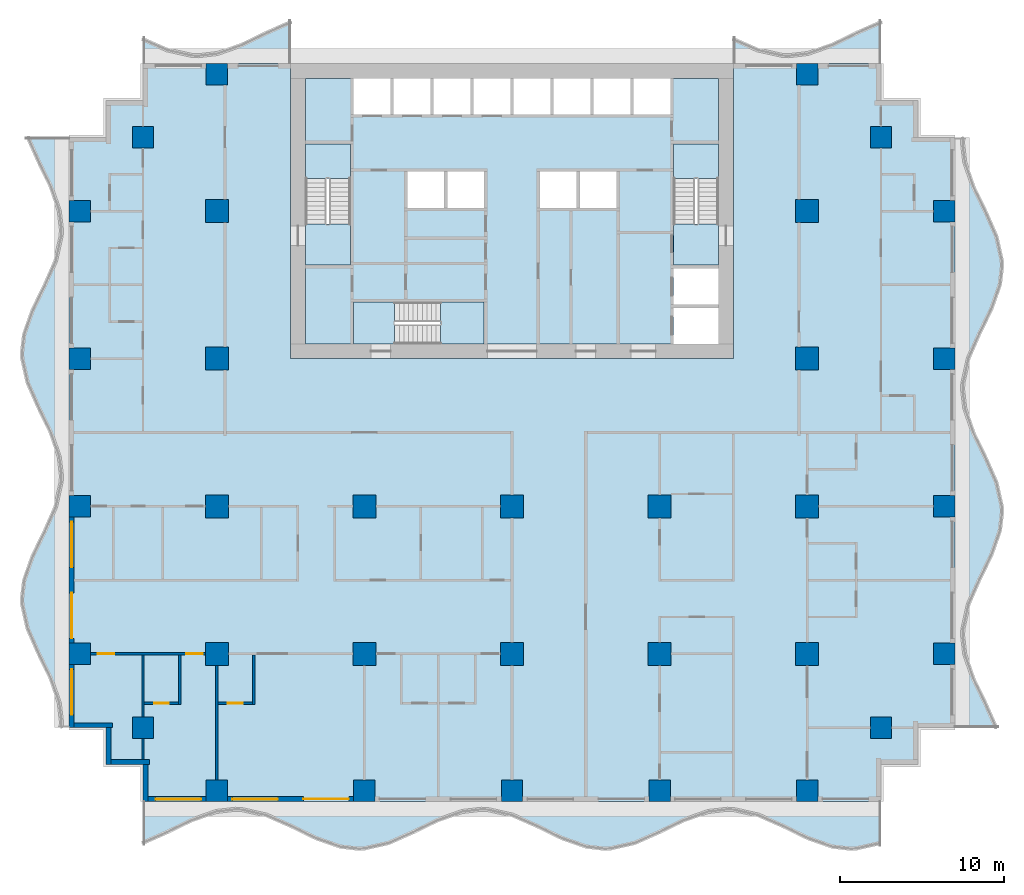
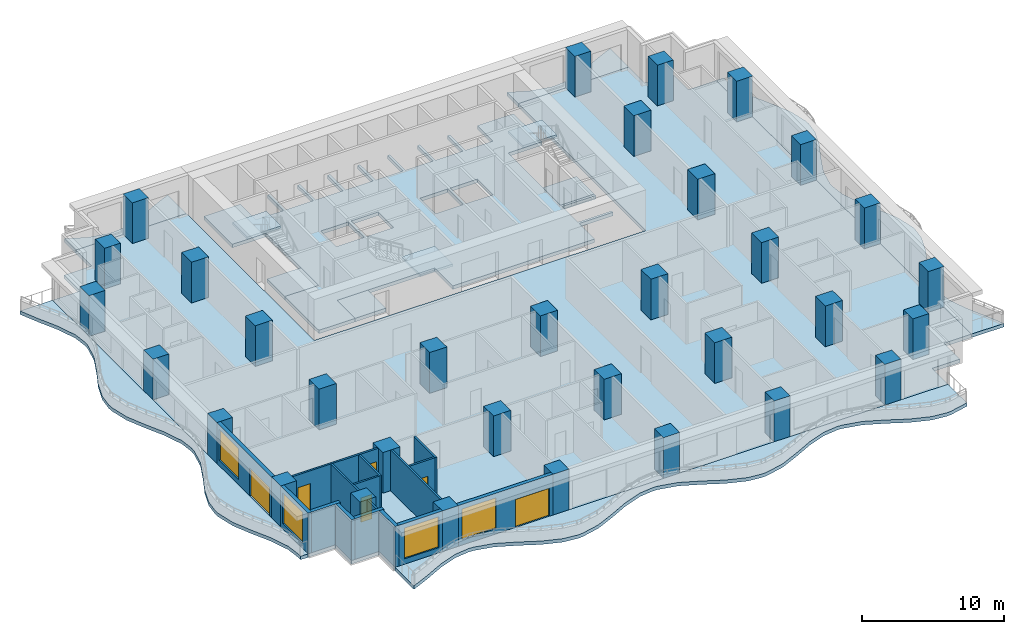
# One storey, part 1 of 14: 33 columns, 16 walls, 13 slabs, 6 doors, 4 windows, 10 openings, 3 elements without a shape of their own.
"""IFC4 building model written with IfcOpenShell, lengths in metres."""

from ifc_helpers import new_model, si_unit, direction, frame, frame_2d, origin, origin_2d, place, context, subcontext, project, spatial, polyline, rectangle, outline, extrude, material, layer, layer_set, material_profile, profile_set, type_object, element, fill, aggregate, save


model = new_model("IFC4")

# Units and contexts
model_context = context("Model", 3, precision=1e-05, world=origin(), true_north=direction((0.0, 1.0)))
body_context = subcontext(model_context, "Body", "Model", "MODEL_VIEW")
ifc_project = project(units=[si_unit("LENGTHUNIT", "METRE"), si_unit("AREAUNIT", "SQUARE_METRE"), si_unit("VOLUMEUNIT", "CUBIC_METRE"), si_unit("PLANEANGLEUNIT", "RADIAN"), si_unit("MASSUNIT", "GRAM", prefix="KILO")], contexts=[model_context])

# Site, building, storey
site_placement = place(None, origin())
site = spatial("IfcSite", under=ifc_project, at=site_placement, CompositionType="ELEMENT")
building_placement = place(site_placement, origin())
building = spatial("IfcBuilding", under=site, at=building_placement, Name="Orbiselva Terraces", CompositionType="ELEMENT")
storey_placement = place(building_placement, frame((0.0, 0.0, 88.4)))
storey = spatial("IfcBuildingStorey", under=building, at=storey_placement, Name="L22", CompositionType="ELEMENT", Elevation=88.4)

# Columns
ifc_material_1 = material(Name="Concrete C70/85", Category="concrete")
ifc_material_profile_1 = material_profile(ifc_material_1, rectangle(XDim=1.4, YDim=1.4, at=origin_2d()), Name="RC 1400x1400")
ifc_profile_set_1 = profile_set([ifc_material_profile_1], Name="Concrete C70/85")
column_type_1 = type_object("IfcColumnType", Name="COLUMN RC 1400x1400", PredefinedType="COLUMN", material=ifc_profile_set_1)
for number, where, z_axis, x_axis, name in (
    (1, (-18.0, -13.5, 0.0), (0.0, 0.0, 1.0), (1.0, 0.0, 0.0), "Column L22-01"),
    (2, (-18.0, -4.5, 0.0), (0.0, 0.0, 1.0), (1.0, 0.0, 0.0), "Column L22-03"),
    (3, (-18.0, 13.5, 0.0), (0.0, 0.0, 1.0), (1.0, 0.0, 0.0), "Column L22-04"),
    (4, (-18.0, 4.5, 0.0), (0.0, 0.0, 1.0), (1.0, 0.0, 0.0), "Column L22-06"),
    (5, (-9.0, -13.5, 0.0), (0.0, 0.0, 1.0), (1.0, 0.0, 0.0), "Column L22-13"),
    (6, (-9.0, -4.5, 0.0), (0.0, 0.0, 1.0), (1.0, 0.0, 0.0), "Column L22-15"),
    (7, (0.0, -13.5, 0.0), (0.0, 0.0, 1.0), (1.0, 0.0, 0.0), "Column L22-16"),
    (8, (0.0, -4.5, 0.0), (0.0, 0.0, 1.0), (1.0, 0.0, 0.0), "Column L22-18"),
    (9, (18.0, -13.5, 0.0), (0.0, 0.0, 1.0), (1.0, 0.0, 0.0), "Column L22-19"),
    (10, (18.0, -4.5, 0.0), (0.0, 0.0, 1.0), (1.0, 0.0, 0.0), "Column L22-21"),
    (11, (18.0, 13.5, 0.0), (0.0, 0.0, 1.0), (1.0, 0.0, 0.0), "Column L22-22"),
    (12, (18.0, 4.5, 0.0), (0.0, 0.0, 1.0), (1.0, 0.0, 0.0), "Column L22-24"),
    (13, (9.0, -13.5, 0.0), (0.0, 0.0, 1.0), (1.0, 0.0, 0.0), "Column L22-31"),
    (14, (9.0, -4.5, 0.0), (0.0, 0.0, 1.0), (1.0, 0.0, 0.0), "Column L22-33"),
):
    element("IfcColumn", number, at=place(storey_placement, frame(where, z_axis=z_axis, x_axis=x_axis)), inside=storey, type_object=column_type_1, Name=name, PredefinedType="COLUMN", context=body_context, shape_type="SweptSolid", body=[
        extrude(rectangle(XDim=1.4, YDim=1.4, at=origin_2d()), origin(), (0.0, 0.0, 1.0), 3.5),
    ])
ifc_material_profile_2 = material_profile(ifc_material_1, rectangle(XDim=1.3, YDim=1.3, at=origin_2d()), Name="RC 1300x1300")
ifc_profile_set_2 = profile_set([ifc_material_profile_2], Name="Concrete C70/85")
column_type_2 = type_object("IfcColumnType", Name="PERIMETER COLUMN RC 1300x1300", PredefinedType="COLUMN", material=ifc_profile_set_2)
for number, where, z_axis, x_axis, name in (
    (15, (-18.0, -21.85, 0.0), (0.0, 0.0, 1.0), (1.0, 0.0, 0.0), "Column L22-02"),
    (16, (-18.0, 21.85, 0.0), (0.0, 0.0, 1.0), (1.0, 0.0, 0.0), "Column L22-05"),
    (17, (-26.35, -13.5, 0.0), (0.0, 0.0, 1.0), (1.0, 0.0, 0.0), "Column L22-07"),
    (18, (-22.5, -18.0, 0.0), (0.0, 0.0, 1.0), (1.0, 0.0, 0.0), "Column L22-08"),
    (19, (-26.35, -4.5, 0.0), (0.0, 0.0, 1.0), (1.0, 0.0, 0.0), "Column L22-09"),
    (20, (-26.35, 13.5, 0.0), (0.0, 0.0, 1.0), (1.0, 0.0, 0.0), "Column L22-10"),
    (21, (-22.5, 18.0, 0.0), (0.0, 0.0, 1.0), (1.0, 0.0, 0.0), "Column L22-11"),
    (22, (-26.35, 4.5, 0.0), (0.0, 0.0, 1.0), (1.0, 0.0, 0.0), "Column L22-12"),
    (23, (-9.0, -21.85, 0.0), (0.0, 0.0, 1.0), (1.0, 0.0, 0.0), "Column L22-14"),
    (24, (0.0, -21.85, 0.0), (0.0, 0.0, 1.0), (1.0, 0.0, 0.0), "Column L22-17"),
    (25, (18.0, -21.85, 0.0), (0.0, 0.0, 1.0), (1.0, 0.0, 0.0), "Column L22-20"),
    (26, (18.0, 21.85, 0.0), (0.0, 0.0, 1.0), (1.0, 0.0, 0.0), "Column L22-23"),
    (27, (26.35, -13.5, 0.0), (0.0, 0.0, 1.0), (1.0, 0.0, 0.0), "Column L22-25"),
    (28, (22.5, -18.0, 0.0), (0.0, 0.0, 1.0), (1.0, 0.0, 0.0), "Column L22-26"),
    (29, (26.35, -4.5, 0.0), (0.0, 0.0, 1.0), (1.0, 0.0, 0.0), "Column L22-27"),
    (30, (26.35, 13.5, 0.0), (0.0, 0.0, 1.0), (1.0, 0.0, 0.0), "Column L22-28"),
    (31, (22.5, 18.0, 0.0), (0.0, 0.0, 1.0), (1.0, 0.0, 0.0), "Column L22-29"),
    (32, (26.35, 4.5, 0.0), (0.0, 0.0, 1.0), (1.0, 0.0, 0.0), "Column L22-30"),
    (33, (9.0, -21.85, 0.0), (0.0, 0.0, 1.0), (1.0, 0.0, 0.0), "Column L22-32"),
):
    element("IfcColumn", number, at=place(storey_placement, frame(where, z_axis=z_axis, x_axis=x_axis)), inside=storey, type_object=column_type_2, Name=name, PredefinedType="COLUMN", context=body_context, shape_type="SweptSolid", body=[
        extrude(rectangle(XDim=1.3, YDim=1.3, at=origin_2d()), origin(), (0.0, 0.0, 1.0), 3.5),
    ])

# Slabs
ifc_material_2 = material(Name="Concrete C40/50", Category="concrete")
ifc_layer_1 = layer(ifc_material_2, 0.3)
ifc_layer_set_1 = layer_set([ifc_layer_1], Name="Concrete C40/50")
slab_type_1 = type_object("IfcSlabType", Name="CORE-SLAB-FLOOR-300", PredefinedType="FLOOR", material=ifc_layer_set_1)
slab_1_placement = place(storey_placement, frame((0.0, 0.0, -0.3)))
element("IfcSlab", 34, at=slab_1_placement, inside=storey, type_object=slab_type_1, Name="L22 S1 floor landing", PredefinedType="FLOOR", context=body_context, shape_type="SweptSolid", body=[
    extrude(outline(polyline([(-12.6, 12.7), (-9.85, 12.7), (-9.85, 10.2), (-12.6, 10.2), (-12.6, 12.7)])), origin(), (0.0, 0.0, 1.0), 0.3),
])
slab_2_placement = place(storey_placement, frame((0.0, 0.0, -0.3)))
element("IfcSlab", 35, at=slab_2_placement, inside=storey, type_object=slab_type_1, Name="L22 S2 floor landing", PredefinedType="FLOOR", context=body_context, shape_type="SweptSolid", body=[
    extrude(outline(polyline([(12.6, 12.7), (12.6, 10.2), (9.85, 10.2), (9.85, 12.7), (12.6, 12.7)])), origin(), (0.0, 0.0, 1.0), 0.3),
])
slab_3_placement = place(storey_placement, frame((0.0, 0.0, -0.3)))
element("IfcSlab", 36, at=slab_3_placement, inside=storey, type_object=slab_type_1, Name="L22 S3 floor landing", PredefinedType="FLOOR", context=body_context, shape_type="SweptSolid", body=[
    extrude(outline(polyline([(-7.15, 5.4), (-9.65, 5.4), (-9.65, 7.95), (-7.15, 7.95), (-7.15, 5.4)])), origin(), (0.0, 0.0, 1.0), 0.3),
])
slab_4_placement = place(storey_placement, frame((0.0, 0.0, -0.3)))
element("IfcSlab", 37, at=slab_4_placement, inside=storey, type_object=slab_type_1, Name="L22 core floor slab 1", PredefinedType="FLOOR", context=body_context, shape_type="SweptSolid", body=[
    extrude(outline(polyline([(-1.7, 5.4), (-1.7, 7.95), (-9.65, 7.95), (-9.65, 5.4), (-12.6, 5.4), (-12.6, 10.2), (-9.85, 10.2), (-9.85, 17.6), (-12.6, 17.6), (-12.6, 21.6), (-9.65, 21.6), (-9.65, 19.4), (-7.4125, 19.4), (-7.4125, 21.6), (-7.2125, 21.6), (-7.2125, 19.4), (-4.975, 19.4), (-4.975, 21.6), (-4.775, 21.6), (-4.775, 19.4), (-2.5375, 19.4), (-2.5375, 21.6), (-2.3375, 21.6), (-2.3375, 19.4), (-0.1, 19.4), (-0.1, 21.6), (0.1, 21.6), (0.1, 19.4), (2.3375, 19.4), (2.3375, 21.6), (2.5375, 21.6), (2.5375, 19.4), (4.775, 19.4), (4.775, 21.6), (4.975, 21.6), (4.975, 19.4), (7.2125, 19.4), (7.2125, 21.6), (7.4125, 21.6), (7.4125, 19.4), (9.65, 19.4), (9.65, 21.6), (12.6, 21.6), (12.6, 17.6), (9.85, 17.6), (9.85, 10.2), (12.6, 10.2), (12.6, 10.0), (9.85, 10.0), (9.85, 7.8), (12.6, 7.8), (12.6, 7.6), (9.85, 7.6), (9.85, 5.4), (-1.7, 5.4)]), holes=[polyline([(-4.1375, 13.7), (-4.1375, 15.9), (-6.375, 15.9), (-6.375, 13.7), (-4.1375, 13.7)]), polyline([(-1.7, 13.7), (-1.7, 15.9), (-3.9375, 15.9), (-3.9375, 13.7), (-1.7, 13.7)]), polyline([(3.9375, 13.7), (3.9375, 15.9), (1.7, 15.9), (1.7, 13.7), (3.9375, 13.7)]), polyline([(6.375, 13.7), (6.375, 15.9), (4.1375, 15.9), (4.1375, 13.7), (6.375, 13.7)])]), origin(), (0.0, 0.0, 1.0), 0.3),
])

# Stair, slab
stair_type_1 = type_object("IfcStairType", Name="CORE-STAIR-1300", PredefinedType="HALF_TURN_STAIR", material=ifc_material_2)
stair_1_placement = place(storey_placement, origin())
stair_1 = element("IfcStair", 38, at=stair_1_placement, inside=storey, type_object=stair_type_1, Name="L22 Exit Stair S1", PredefinedType="HALF_TURN_STAIR")
ifc_layer_2 = layer(ifc_material_2, 0.2)
ifc_layer_set_2 = layer_set([ifc_layer_2], Name="Concrete C40/50")
slab_type_2 = type_object("IfcSlabType", Name="CORE-STAIR-LANDING-200", PredefinedType="LANDING", material=ifc_layer_set_2)
slab_5_placement = place(storey_placement, frame((0.0, 0.0, 1.7)))
slab_5 = element("IfcSlab", 39, at=slab_5_placement, type_object=slab_type_2, Name="S1 landing 1", PredefinedType="LANDING", context=body_context, shape_type="SweptSolid", body=[
    extrude(outline(polyline([(-9.85, 15.5), (-9.85, 17.6), (-12.6, 17.6), (-12.6, 15.5), (-9.85, 15.5)])), origin(), (0.0, 0.0, 1.0), 0.2),
])
aggregate(stair_1, [slab_5])

stair_2_placement = place(storey_placement, origin())
stair_2 = element("IfcStair", 40, at=stair_2_placement, inside=storey, type_object=stair_type_1, Name="L22 Exit Stair S2", PredefinedType="HALF_TURN_STAIR")
slab_6_placement = place(storey_placement, frame((0.0, 0.0, 1.7)))
slab_6 = element("IfcSlab", 41, at=slab_6_placement, type_object=slab_type_2, Name="S2 landing 1", PredefinedType="LANDING", context=body_context, shape_type="SweptSolid", body=[
    extrude(outline(polyline([(12.6, 15.5), (12.6, 17.6), (9.85, 17.6), (9.85, 15.5), (12.6, 15.5)])), origin(), (0.0, 0.0, 1.0), 0.2),
])
aggregate(stair_2, [slab_6])

stair_type_2 = type_object("IfcStairType", Name="CORE-STAIR-1200", PredefinedType="HALF_TURN_STAIR", material=ifc_material_2)
stair_3_placement = place(storey_placement, origin())
stair_3 = element("IfcStair", 42, at=stair_3_placement, inside=storey, type_object=stair_type_2, Name="L22 Exit Stair S3", PredefinedType="HALF_TURN_STAIR")
slab_7_placement = place(storey_placement, frame((0.0, 0.0, 1.7)))
slab_7 = element("IfcSlab", 43, at=slab_7_placement, type_object=slab_type_2, Name="S3 landing 1", PredefinedType="LANDING", context=body_context, shape_type="SweptSolid", body=[
    extrude(outline(polyline([(-4.35, 5.4), (-1.7, 5.4), (-1.7, 7.95), (-4.35, 7.95), (-4.35, 5.4)])), origin(), (0.0, 0.0, 1.0), 0.2),
])
aggregate(stair_3, [slab_7])

# Slabs
ifc_material_3 = material(Name="Concrete C50/60", Category="concrete")
ifc_layer_3 = layer(ifc_material_3, 0.3)
ifc_layer_set_3 = layer_set([ifc_layer_3], Name="Concrete C50/60")
slab_type_3 = type_object("IfcSlabType", Name="ENV-BALCONY-SLAB-300", PredefinedType="FLOOR", material=ifc_layer_set_3)
slab_8_placement = place(storey_placement, frame((0.0, 0.0, -0.3)))
element("IfcSlab", 44, at=slab_8_placement, inside=storey, type_object=slab_type_3, Name="Balcony slab L22 S", PredefinedType="FLOOR", context=body_context, shape_type="SweptSolid", body=[
    extrude(outline(polyline([(-22.5, -25.148528), (-21.0, -24.487721), (-19.5, -23.755211), (-18.0, -23.230792), (-16.875, -23.1), (-16.5, -23.114774), (-15.0, -23.451472), (-13.5, -24.112279), (-12.0, -24.844789), (-10.5, -25.369208), (-9.375, -25.5), (-9.0, -25.485226), (-7.5, -25.148528), (-6.0, -24.487721), (-4.5, -23.755211), (-3.0, -23.230792), (-1.875, -23.1), (-1.5, -23.114774), (0.0, -23.451472), (1.5, -24.112279), (3.0, -24.844789), (4.5, -25.369208), (5.625, -25.5), (6.0, -25.485226), (7.5, -25.148528), (9.0, -24.487721), (10.5, -23.755211), (12.0, -23.230792), (13.125, -23.1), (13.5, -23.114774), (15.0, -23.451472), (16.5, -24.112279), (18.0, -24.844789), (19.5, -25.369208), (20.625, -25.5), (21.0, -25.485226), (22.5, -25.148528), (22.5, -22.5), (-22.5, -22.5), (-22.5, -25.148528)])), origin(), (0.0, 0.0, 1.0), 0.3),
])
slab_9_placement = place(storey_placement, frame((0.0, 0.0, -0.3)))
element("IfcSlab", 45, at=slab_9_placement, inside=storey, type_object=slab_type_3, Name="Balcony slab L22 E", PredefinedType="FLOOR", context=body_context, shape_type="SweptSolid", body=[
    extrude(outline(polyline([(29.648528, -18.0), (28.987721, -16.5), (28.255211, -15.0), (27.730792, -13.5), (27.6, -12.375), (27.614774, -12.0), (27.951472, -10.5), (28.612279, -9.0), (29.344789, -7.5), (29.869208, -6.0), (30.0, -4.875), (29.985226, -4.5), (29.648528, -3.0), (28.987721, -1.5), (28.255211, 0.0), (27.730792, 1.5), (27.6, 2.625), (27.614774, 3.0), (27.951472, 4.5), (28.612279, 6.0), (29.344789, 7.5), (29.869208, 9.0), (30.0, 10.125), (29.985226, 10.5), (29.648528, 12.0), (28.987721, 13.5), (28.255211, 15.0), (27.730792, 16.5), (27.6, 17.625), (27.614774, 18.0), (27.0, 18.0), (27.0, -18.0), (29.648528, -18.0)])), origin(), (0.0, 0.0, 1.0), 0.3),
])
slab_10_placement = place(storey_placement, frame((0.0, 0.0, -0.3)))
element("IfcSlab", 46, at=slab_10_placement, inside=storey, type_object=slab_type_3, Name="Balcony slab L22 NE", PredefinedType="FLOOR", context=body_context, shape_type="SweptSolid", body=[
    extrude(outline(polyline([(22.5, 25.148528), (21.0, 24.487721), (19.5, 23.755211), (18.0, 23.230792), (16.875, 23.1), (16.5, 23.114774), (15.0, 23.451472), (13.5, 24.112279), (13.5, 22.5), (22.5, 22.5), (22.5, 25.148528)])), origin(), (0.0, 0.0, 1.0), 0.3),
])
slab_11_placement = place(storey_placement, frame((0.0, 0.0, -0.3)))
element("IfcSlab", 47, at=slab_11_placement, inside=storey, type_object=slab_type_3, Name="Balcony slab L22 NW", PredefinedType="FLOOR", context=body_context, shape_type="SweptSolid", body=[
    extrude(outline(polyline([(-13.5, 25.148528), (-15.0, 24.487721), (-16.5, 23.755211), (-18.0, 23.230792), (-19.125, 23.1), (-19.5, 23.114774), (-21.0, 23.451472), (-22.5, 24.112279), (-22.5, 22.5), (-13.5, 22.5), (-13.5, 25.148528)])), origin(), (0.0, 0.0, 1.0), 0.3),
])
slab_12_placement = place(storey_placement, frame((0.0, 0.0, -0.3)))
element("IfcSlab", 48, at=slab_12_placement, inside=storey, type_object=slab_type_3, Name="Balcony slab L22 W", PredefinedType="FLOOR", context=body_context, shape_type="SweptSolid", body=[
    extrude(outline(polyline([(-29.648528, 18.0), (-28.987721, 16.5), (-28.255211, 15.0), (-27.730792, 13.5), (-27.6, 12.375), (-27.614774, 12.0), (-27.951472, 10.5), (-28.612279, 9.0), (-29.344789, 7.5), (-29.869208, 6.0), (-30.0, 4.875), (-29.985226, 4.5), (-29.648528, 3.0), (-28.987721, 1.5), (-28.255211, 0.0), (-27.730792, -1.5), (-27.6, -2.625), (-27.614774, -3.0), (-27.951472, -4.5), (-28.612279, -6.0), (-29.344789, -7.5), (-29.869208, -9.0), (-30.0, -10.125), (-29.985226, -10.5), (-29.648528, -12.0), (-28.987721, -13.5), (-28.255211, -15.0), (-27.730792, -16.5), (-27.6, -17.625), (-27.614774, -18.0), (-27.0, -18.0), (-27.0, 18.0), (-29.648528, 18.0)])), origin(), (0.0, 0.0, 1.0), 0.3),
])
ifc_layer_4 = layer(ifc_material_3, 0.3)
ifc_layer_set_4 = layer_set([ifc_layer_4], Name="Concrete C50/60")
slab_type_4 = type_object("IfcSlabType", Name="FLOOR SLAB 300", PredefinedType="FLOOR", material=ifc_layer_set_4)
slab_13_placement = place(storey_placement, frame((0.0, 0.0, -0.3)))
element("IfcSlab", 49, at=slab_13_placement, inside=storey, type_object=slab_type_4, Name="Floor slab L22", PredefinedType="FLOOR", context=body_context, shape_type="SweptSolid", body=[
    extrude(outline(polyline([(22.5, 22.5), (22.5, 20.25), (24.75, 20.25), (24.75, 18.0), (27.0, 18.0), (27.0, -18.0), (24.75, -18.0), (24.75, -20.25), (22.5, -20.25), (22.5, -22.5), (-22.5, -22.5), (-22.5, -20.25), (-24.75, -20.25), (-24.75, -18.0), (-27.0, -18.0), (-27.0, 18.0), (-24.75, 18.0), (-24.75, 20.25), (-22.5, 20.25), (-22.5, 22.5), (-13.5, 22.5), (-13.5, 4.5), (13.5, 4.5), (13.5, 22.5), (22.5, 22.5)])), origin(), (0.0, 0.0, 1.0), 0.3),
])

# Wall, opening, window
ifc_material_4 = material(Name="Terracotta cladding on masonry backing", Category="masonry")
ifc_layer_5 = layer(ifc_material_4, 0.3)
ifc_layer_set_5 = layer_set([ifc_layer_5], Name="Terracotta cladding on masonry backing")
wall_type_1 = type_object("IfcWallType", Name="ENV-WALL-TERRACOTTA-300", PredefinedType="SOLIDWALL", material=ifc_layer_set_5)
wall_1_placement = place(storey_placement, frame((-18.65, -22.35, 0.0), z_axis=(0.0, 0.0, 1.0), x_axis=(-1.0, 0.0, 0.0)))
wall_1 = element("IfcWall", 50, at=wall_1_placement, inside=storey, type_object=wall_type_1, Name="Facade wall L22 S", PredefinedType="SOLIDWALL", context=body_context, shape_type="SweptSolid", body=[
    extrude(rectangle(XDim=3.55, YDim=0.3, at=frame_2d((1.775, 0.0))), origin(), (0.0, 0.0, 1.0), 3.5),
])
opening_1_placement = place(wall_1_placement, frame((0.3, 0.0, 0.45)))
opening_1 = element("IfcOpeningElement", 51, at=opening_1_placement, cuts=wall_1, Name="Opening WN6", PredefinedType="OPENING", context=body_context, shape_type="SweptSolid", body=[
    extrude(rectangle(XDim=2.775, YDim=2.65, at=frame_2d((1.3875, 1.325))), frame((0.0, 0.16, 0.0), z_axis=(0.0, -1.0, 0.0), x_axis=(1.0, 0.0, 0.0)), (0.0, 0.0, 1.0), 0.32),
])
ifc_material_5 = material(Name="Clear low-e glazing in aluminium frame", Category="aluminium")
window_type = type_object("IfcWindowType", Name="WINDOW 2775 X 2650 S450", PartitioningType="TRIPLE_PANEL_VERTICAL", PredefinedType="WINDOW", material=ifc_material_5)
window_1_placement = place(opening_1_placement, origin())
window_1 = element("IfcWindow", 52, at=window_1_placement, inside=storey, type_object=window_type, Name="Window L22 S", OverallHeight=2.65, OverallWidth=2.775, PartitioningType="SINGLE_PANEL", PredefinedType="WINDOW", context=body_context, shape_type="SweptSolid", body=[
    extrude(rectangle(XDim=2.775, YDim=2.65, at=frame_2d((1.3875, 1.325))), frame((0.0, 0.03, 0.0), z_axis=(0.0, -1.0, 0.0), x_axis=(1.0, 0.0, 0.0)), (0.0, 0.0, 1.0), 0.06),
])
fill(opening_1, window_1)

# Wall, openings, door, window
wall_2_placement = place(storey_placement, frame((-9.65, -22.35, 0.0), z_axis=(0.0, 0.0, 1.0), x_axis=(-1.0, 0.0, 0.0)))
wall_2 = element("IfcWall", 53, at=wall_2_placement, inside=storey, type_object=wall_type_1, Name="Facade wall L22 S", PredefinedType="SOLIDWALL", context=body_context, shape_type="SweptSolid", body=[
    extrude(rectangle(XDim=7.7, YDim=0.3, at=frame_2d((3.85, 0.0))), origin(), (0.0, 0.0, 1.0), 3.5),
])
opening_2_placement = place(wall_2_placement, frame((4.625, 0.0, 0.45)))
opening_2 = element("IfcOpeningElement", 54, at=opening_2_placement, cuts=wall_2, Name="Opening WN6", PredefinedType="OPENING", context=body_context, shape_type="SweptSolid", body=[
    extrude(rectangle(XDim=2.775, YDim=2.65, at=frame_2d((1.3875, 1.325))), frame((0.0, 0.16, 0.0), z_axis=(0.0, -1.0, 0.0), x_axis=(1.0, 0.0, 0.0)), (0.0, 0.0, 1.0), 0.32),
])
opening_3_placement = place(wall_2_placement, frame((0.3, 0.0, 0.0)))
opening_3 = element("IfcOpeningElement", 55, at=opening_3_placement, cuts=wall_2, Name="Opening Z2-B-E16", PredefinedType="OPENING", context=body_context, shape_type="SweptSolid", body=[
    extrude(rectangle(XDim=2.775, YDim=2.4, at=frame_2d((1.3875, 1.2))), frame((0.0, 0.16, 0.0), z_axis=(0.0, -1.0, 0.0), x_axis=(1.0, 0.0, 0.0)), (0.0, 0.0, 1.0), 0.32),
])
door_type_1 = type_object("IfcDoorType", Name="BALCONY DOOR 2775 X 2400", OperationType="DOUBLE_DOOR_SLIDING", PredefinedType="DOOR", material=ifc_material_5)
door_1_placement = place(opening_3_placement, origin())
door_1 = element("IfcDoor", 56, at=door_1_placement, inside=storey, type_object=door_type_1, Name="Z2-B-E16", OperationType="SINGLE_SWING_LEFT", OverallHeight=2.4, OverallWidth=2.775, PredefinedType="DOOR", context=body_context, shape_type="SweptSolid", body=[
    extrude(rectangle(XDim=2.775, YDim=2.4, at=frame_2d((1.3875, 1.2))), frame((0.0, 0.025, 0.0), z_axis=(0.0, -1.0, 0.0), x_axis=(1.0, 0.0, 0.0)), (0.0, 0.0, 1.0), 0.05),
])
fill(opening_3, door_1)
window_2_placement = place(opening_2_placement, origin())
window_2 = element("IfcWindow", 57, at=window_2_placement, inside=storey, type_object=window_type, Name="Window L22 S", OverallHeight=2.65, OverallWidth=2.775, PartitioningType="SINGLE_PANEL", PredefinedType="WINDOW", context=body_context, shape_type="SweptSolid", body=[
    extrude(rectangle(XDim=2.775, YDim=2.65, at=frame_2d((1.3875, 1.325))), frame((0.0, 0.03, 0.0), z_axis=(0.0, -1.0, 0.0), x_axis=(1.0, 0.0, 0.0)), (0.0, 0.0, 1.0), 0.06),
])
fill(opening_2, window_2)

wall_3_placement = place(storey_placement, frame((-26.85, -12.85, 0.0), z_axis=(0.0, 0.0, 1.0), x_axis=(0.0, 1.0, 0.0)))
wall_3 = element("IfcWall", 58, at=wall_3_placement, inside=storey, type_object=wall_type_1, Name="Facade wall L22 W", PredefinedType="SOLIDWALL", context=body_context, shape_type="SweptSolid", body=[
    extrude(rectangle(XDim=7.7, YDim=0.3, at=frame_2d((3.85, 0.0))), origin(), (0.0, 0.0, 1.0), 3.5),
])
opening_4_placement = place(wall_3_placement, frame((4.625, 0.0, 0.45)))
opening_4 = element("IfcOpeningElement", 59, at=opening_4_placement, cuts=wall_3, Name="Opening WN6", PredefinedType="OPENING", context=body_context, shape_type="SweptSolid", body=[
    extrude(rectangle(XDim=2.775, YDim=2.65, at=frame_2d((1.3875, 1.325))), frame((0.0, 0.16, 0.0), z_axis=(0.0, -1.0, 0.0), x_axis=(1.0, 0.0, 0.0)), (0.0, 0.0, 1.0), 0.32),
])
opening_5_placement = place(wall_3_placement, frame((0.3, 0.0, 0.0)))
opening_5 = element("IfcOpeningElement", 60, at=opening_5_placement, cuts=wall_3, Name="Opening Z2-B-E13", PredefinedType="OPENING", context=body_context, shape_type="SweptSolid", body=[
    extrude(rectangle(XDim=2.775, YDim=2.4, at=frame_2d((1.3875, 1.2))), frame((0.0, 0.16, 0.0), z_axis=(0.0, -1.0, 0.0), x_axis=(1.0, 0.0, 0.0)), (0.0, 0.0, 1.0), 0.32),
])
door_2_placement = place(opening_5_placement, origin())
door_2 = element("IfcDoor", 61, at=door_2_placement, inside=storey, type_object=door_type_1, Name="Z2-B-E13", OperationType="SINGLE_SWING_LEFT", OverallHeight=2.4, OverallWidth=2.775, PredefinedType="DOOR", context=body_context, shape_type="SweptSolid", body=[
    extrude(rectangle(XDim=2.775, YDim=2.4, at=frame_2d((1.3875, 1.2))), frame((0.0, 0.025, 0.0), z_axis=(0.0, -1.0, 0.0), x_axis=(1.0, 0.0, 0.0)), (0.0, 0.0, 1.0), 0.05),
])
fill(opening_5, door_2)
window_3_placement = place(opening_4_placement, origin())
window_3 = element("IfcWindow", 62, at=window_3_placement, inside=storey, type_object=window_type, Name="Window L22 W", OverallHeight=2.65, OverallWidth=2.775, PartitioningType="SINGLE_PANEL", PredefinedType="WINDOW", context=body_context, shape_type="SweptSolid", body=[
    extrude(rectangle(XDim=2.775, YDim=2.65, at=frame_2d((1.3875, 1.325))), frame((0.0, 0.03, 0.0), z_axis=(0.0, -1.0, 0.0), x_axis=(1.0, 0.0, 0.0)), (0.0, 0.0, 1.0), 0.06),
])
fill(opening_4, window_3)

# Wall, opening, window
wall_4_placement = place(storey_placement, frame((-26.85, -18.0, 0.0), z_axis=(0.0, 0.0, 1.0), x_axis=(0.0, 1.0, 0.0)))
wall_4 = element("IfcWall", 63, at=wall_4_placement, inside=storey, type_object=wall_type_1, Name="Facade wall L22 W", PredefinedType="SOLIDWALL", context=body_context, shape_type="SweptSolid", body=[
    extrude(rectangle(XDim=3.85, YDim=0.3, at=frame_2d((1.925, 0.0))), origin(), (0.0, 0.0, 1.0), 3.5),
])
opening_6_placement = place(wall_4_placement, frame((0.775, 0.0, 0.45)))
opening_6 = element("IfcOpeningElement", 64, at=opening_6_placement, cuts=wall_4, Name="Opening WN6", PredefinedType="OPENING", context=body_context, shape_type="SweptSolid", body=[
    extrude(rectangle(XDim=2.775, YDim=2.65, at=frame_2d((1.3875, 1.325))), frame((0.0, 0.16, 0.0), z_axis=(0.0, -1.0, 0.0), x_axis=(1.0, 0.0, 0.0)), (0.0, 0.0, 1.0), 0.32),
])
window_4_placement = place(opening_6_placement, origin())
window_4 = element("IfcWindow", 65, at=window_4_placement, inside=storey, type_object=window_type, Name="Window L22 W", OverallHeight=2.65, OverallWidth=2.775, PartitioningType="SINGLE_PANEL", PredefinedType="WINDOW", context=body_context, shape_type="SweptSolid", body=[
    extrude(rectangle(XDim=2.775, YDim=2.65, at=frame_2d((1.3875, 1.325))), frame((0.0, 0.03, 0.0), z_axis=(0.0, -1.0, 0.0), x_axis=(1.0, 0.0, 0.0)), (0.0, 0.0, 1.0), 0.06),
])
fill(opening_6, window_4)

# Walls
wall_5_placement = place(storey_placement, frame((-24.35, -17.85, 0.0), z_axis=(0.0, 0.0, 1.0), x_axis=(-1.0, 0.0, 0.0)))
element("IfcWall", 66, at=wall_5_placement, inside=storey, type_object=wall_type_1, Name="Facade wall L22 STEP", PredefinedType="SOLIDWALL", context=body_context, shape_type="SweptSolid", body=[
    extrude(rectangle(XDim=2.35, YDim=0.3, at=frame_2d((1.175, 0.0))), origin(), (0.0, 0.0, 1.0), 3.5),
])
wall_6_placement = place(storey_placement, frame((-24.6, -20.25, 0.0), z_axis=(0.0, 0.0, 1.0), x_axis=(0.0, 1.0, 0.0)))
element("IfcWall", 67, at=wall_6_placement, inside=storey, type_object=wall_type_1, Name="Facade wall L22 STEP", PredefinedType="SOLIDWALL", context=body_context, shape_type="SweptSolid", body=[
    extrude(rectangle(XDim=2.25, YDim=0.3, at=frame_2d((1.125, 0.0))), origin(), (0.0, 0.0, 1.0), 3.5),
])
wall_7_placement = place(storey_placement, frame((-22.1, -20.1, 0.0), z_axis=(0.0, 0.0, 1.0), x_axis=(-1.0, 0.0, 0.0)))
element("IfcWall", 68, at=wall_7_placement, inside=storey, type_object=wall_type_1, Name="Facade wall L22 STEP", PredefinedType="SOLIDWALL", context=body_context, shape_type="SweptSolid", body=[
    extrude(rectangle(XDim=2.35, YDim=0.3, at=frame_2d((1.175, 0.0))), origin(), (0.0, 0.0, 1.0), 3.5),
])
wall_8_placement = place(storey_placement, frame((-22.35, -22.5, 0.0), z_axis=(0.0, 0.0, 1.0), x_axis=(0.0, 1.0, 0.0)))
element("IfcWall", 69, at=wall_8_placement, inside=storey, type_object=wall_type_1, Name="Facade wall L22 STEP", PredefinedType="SOLIDWALL", context=body_context, shape_type="SweptSolid", body=[
    extrude(rectangle(XDim=2.25, YDim=0.3, at=frame_2d((1.125, 0.0))), origin(), (0.0, 0.0, 1.0), 3.5),
])

# Wall, opening, door
ifc_material_6 = material(Name="Plasterboard on steel stud partition", Category="steel")
ifc_layer_6 = layer(ifc_material_6, 0.15)
ifc_layer_set_6 = layer_set([ifc_layer_6], Name="Plasterboard on steel stud partition")
wall_type_2 = type_object("IfcWallType", Name="UNIT-PARTITION-150", PredefinedType="PARTITIONING", material=ifc_layer_set_6)
wall_9_placement = place(storey_placement, frame((-22.425, -16.5, 0.0), z_axis=(0.0, 0.0, 1.0), x_axis=(1.0, 0.0, 0.0)))
wall_9 = element("IfcWall", 70, at=wall_9_placement, inside=storey, type_object=wall_type_2, Name="PARTITION L22-004", PredefinedType="PARTITIONING", context=body_context, shape_type="SweptSolid", body=[
    extrude(rectangle(XDim=2.1, YDim=0.15, at=frame_2d((1.05, 0.0))), origin(), (0.0, 0.0, 1.0), 3.5),
])
opening_7_placement = place(wall_9_placement, frame((0.6, 0.0, 0.0)))
opening_7 = element("IfcOpeningElement", 71, at=opening_7_placement, cuts=wall_9, Name="Opening Z2-B-25", PredefinedType="OPENING", context=body_context, shape_type="SweptSolid", body=[
    extrude(rectangle(XDim=0.9, YDim=2.1, at=frame_2d((0.45, 1.05))), frame((0.0, 0.085, 0.0), z_axis=(0.0, -1.0, 0.0), x_axis=(1.0, 0.0, 0.0)), (0.0, 0.0, 1.0), 0.17),
])
ifc_material_7 = material(Name="Painted timber door leaf", Category="wood")
door_type_2 = type_object("IfcDoorType", Name="BATH DOOR 900", OperationType="NOTDEFINED", PredefinedType="DOOR", material=ifc_material_7)
door_3_placement = place(opening_7_placement, origin())
door_3 = element("IfcDoor", 72, at=door_3_placement, inside=storey, type_object=door_type_2, Name="Z2-B-25", OperationType="SINGLE_SWING_LEFT", OverallHeight=2.1, OverallWidth=0.9, PredefinedType="DOOR", context=body_context, shape_type="SweptSolid", body=[
    extrude(rectangle(XDim=0.9, YDim=2.1, at=frame_2d((0.45, 1.05))), frame((0.0, 0.025, 0.0), z_axis=(0.0, -1.0, 0.0), x_axis=(1.0, 0.0, 0.0)), (0.0, 0.0, 1.0), 0.05),
])
fill(opening_7, door_3)

wall_10_placement = place(storey_placement, frame((-17.925, -16.5, 0.0), z_axis=(0.0, 0.0, 1.0), x_axis=(1.0, 0.0, 0.0)))
wall_10 = element("IfcWall", 73, at=wall_10_placement, inside=storey, type_object=wall_type_2, Name="PARTITION L22-005", PredefinedType="PARTITIONING", context=body_context, shape_type="SweptSolid", body=[
    extrude(rectangle(XDim=2.1, YDim=0.15, at=frame_2d((1.05, 0.0))), origin(), (0.0, 0.0, 1.0), 3.5),
])
opening_8_placement = place(wall_10_placement, frame((0.6, 0.0, 0.0)))
opening_8 = element("IfcOpeningElement", 74, at=opening_8_placement, cuts=wall_10, Name="Opening Z2-B-27", PredefinedType="OPENING", context=body_context, shape_type="SweptSolid", body=[
    extrude(rectangle(XDim=0.9, YDim=2.1, at=frame_2d((0.45, 1.05))), frame((0.0, 0.085, 0.0), z_axis=(0.0, -1.0, 0.0), x_axis=(1.0, 0.0, 0.0)), (0.0, 0.0, 1.0), 0.17),
])
door_4_placement = place(opening_8_placement, origin())
door_4 = element("IfcDoor", 75, at=door_4_placement, inside=storey, type_object=door_type_2, Name="Z2-B-27", OperationType="SINGLE_SWING_LEFT", OverallHeight=2.1, OverallWidth=0.9, PredefinedType="DOOR", context=body_context, shape_type="SweptSolid", body=[
    extrude(rectangle(XDim=0.9, YDim=2.1, at=frame_2d((0.45, 1.05))), frame((0.0, 0.025, 0.0), z_axis=(0.0, -1.0, 0.0), x_axis=(1.0, 0.0, 0.0)), (0.0, 0.0, 1.0), 0.05),
])
fill(opening_8, door_4)

# Wall, openings, doors
wall_11_placement = place(storey_placement, frame((-18.7, -13.5, 0.0), z_axis=(0.0, 0.0, 1.0), x_axis=(-1.0, 0.0, 0.0)))
wall_11 = element("IfcWall", 76, at=wall_11_placement, inside=storey, type_object=wall_type_2, Name="PARTITION L22-008", PredefinedType="PARTITIONING", context=body_context, shape_type="SweptSolid", body=[
    extrude(rectangle(XDim=7.0, YDim=0.15, at=frame_2d((3.5, 0.0))), origin(), (0.0, 0.0, 1.0), 3.5),
])
opening_9_placement = place(wall_11_placement, frame((5.55, 0.0, 0.0)))
opening_9 = element("IfcOpeningElement", 77, at=opening_9_placement, cuts=wall_11, Name="Opening Z2-B-23", PredefinedType="OPENING", context=body_context, shape_type="SweptSolid", body=[
    extrude(rectangle(XDim=1.0, YDim=2.4, at=frame_2d((0.5, 1.2))), frame((0.0, 0.085, 0.0), z_axis=(0.0, -1.0, 0.0), x_axis=(1.0, 0.0, 0.0)), (0.0, 0.0, 1.0), 0.17),
])
opening_10_placement = place(wall_11_placement, frame((0.15, 0.0, 0.0)))
opening_10 = element("IfcOpeningElement", 78, at=opening_10_placement, cuts=wall_11, Name="Opening Z2-B-24", PredefinedType="OPENING", context=body_context, shape_type="SweptSolid", body=[
    extrude(rectangle(XDim=1.0, YDim=2.4, at=frame_2d((0.5, 1.2))), frame((0.0, 0.085, 0.0), z_axis=(0.0, -1.0, 0.0), x_axis=(1.0, 0.0, 0.0)), (0.0, 0.0, 1.0), 0.17),
])
door_type_3 = type_object("IfcDoorType", Name="ROOM DOOR 1000", OperationType="NOTDEFINED", PredefinedType="DOOR", material=ifc_material_7)
door_5_placement = place(opening_9_placement, origin())
door_5 = element("IfcDoor", 79, at=door_5_placement, inside=storey, type_object=door_type_3, Name="Z2-B-23", OperationType="SINGLE_SWING_RIGHT", OverallHeight=2.4, OverallWidth=1.0, PredefinedType="DOOR", context=body_context, shape_type="SweptSolid", body=[
    extrude(rectangle(XDim=1.0, YDim=2.4, at=frame_2d((0.5, 1.2))), frame((0.0, 0.025, 0.0), z_axis=(0.0, -1.0, 0.0), x_axis=(1.0, 0.0, 0.0)), (0.0, 0.0, 1.0), 0.05),
])
fill(opening_9, door_5)
door_6_placement = place(opening_10_placement, origin())
door_6 = element("IfcDoor", 80, at=door_6_placement, inside=storey, type_object=door_type_3, Name="Z2-B-24", OperationType="SINGLE_SWING_LEFT", OverallHeight=2.4, OverallWidth=1.0, PredefinedType="DOOR", context=body_context, shape_type="SweptSolid", body=[
    extrude(rectangle(XDim=1.0, YDim=2.4, at=frame_2d((0.5, 1.2))), frame((0.0, 0.025, 0.0), z_axis=(0.0, -1.0, 0.0), x_axis=(1.0, 0.0, 0.0)), (0.0, 0.0, 1.0), 0.05),
])
fill(opening_10, door_6)

# Walls
wall_12_placement = place(storey_placement, frame((-22.5, -19.95, 0.0), z_axis=(0.0, 0.0, 1.0), x_axis=(0.0, 1.0, 0.0)))
element("IfcWall", 81, at=wall_12_placement, inside=storey, type_object=wall_type_2, Name="PARTITION L22-045", PredefinedType="PARTITIONING", context=body_context, shape_type="SweptSolid", body=[
    extrude(rectangle(XDim=1.3, YDim=0.15, at=frame_2d((0.65, 0.0))), origin(), (0.0, 0.0, 1.0), 3.5),
])
wall_13_placement = place(storey_placement, frame((-22.5, -17.35, 0.0), z_axis=(0.0, 0.0, 1.0), x_axis=(0.0, 1.0, 0.0)))
element("IfcWall", 82, at=wall_13_placement, inside=storey, type_object=wall_type_2, Name="PARTITION L22-046", PredefinedType="PARTITIONING", context=body_context, shape_type="SweptSolid", body=[
    extrude(rectangle(XDim=3.775, YDim=0.15, at=frame_2d((1.8875, 0.0))), origin(), (0.0, 0.0, 1.0), 3.5),
])
wall_14_placement = place(storey_placement, frame((-20.25, -16.575, 0.0), z_axis=(0.0, 0.0, 1.0), x_axis=(0.0, 1.0, 0.0)))
element("IfcWall", 83, at=wall_14_placement, inside=storey, type_object=wall_type_2, Name="PARTITION L22-050", PredefinedType="PARTITIONING", context=body_context, shape_type="SweptSolid", body=[
    extrude(rectangle(XDim=3.0, YDim=0.15, at=frame_2d((1.5, 0.0))), origin(), (0.0, 0.0, 1.0), 3.5),
])
wall_15_placement = place(storey_placement, frame((-18.0, -21.2, 0.0), z_axis=(0.0, 0.0, 1.0), x_axis=(0.0, 1.0, 0.0)))
element("IfcWall", 84, at=wall_15_placement, inside=storey, type_object=wall_type_2, Name="PARTITION L22-051", PredefinedType="PARTITIONING", context=body_context, shape_type="SweptSolid", body=[
    extrude(rectangle(XDim=7.0, YDim=0.15, at=frame_2d((3.5, 0.0))), origin(), (0.0, 0.0, 1.0), 3.5),
])
wall_16_placement = place(storey_placement, frame((-15.75, -16.575, 0.0), z_axis=(0.0, 0.0, 1.0), x_axis=(0.0, 1.0, 0.0)))
element("IfcWall", 85, at=wall_16_placement, inside=storey, type_object=wall_type_2, Name="PARTITION L22-055", PredefinedType="PARTITIONING", context=body_context, shape_type="SweptSolid", body=[
    extrude(rectangle(XDim=3.0, YDim=0.15, at=frame_2d((1.5, 0.0))), origin(), (0.0, 0.0, 1.0), 3.5),
])

save(model, "model.ifc")
